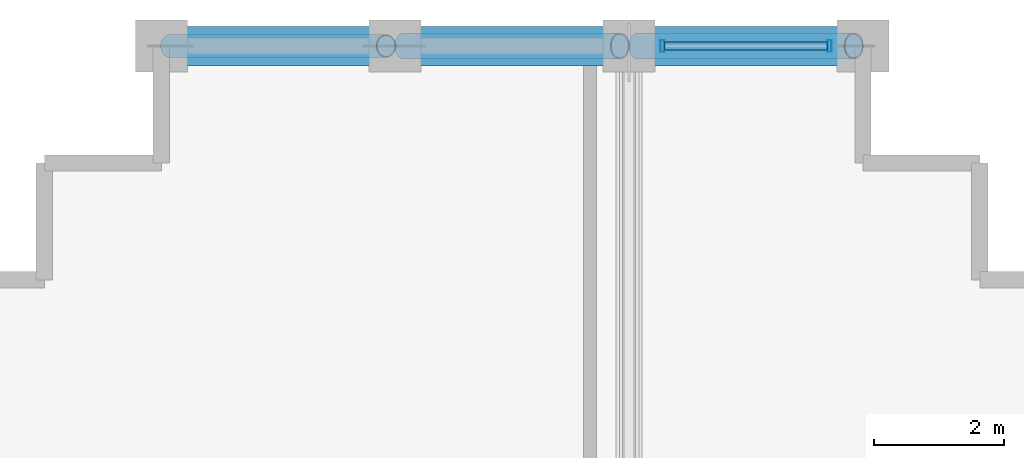
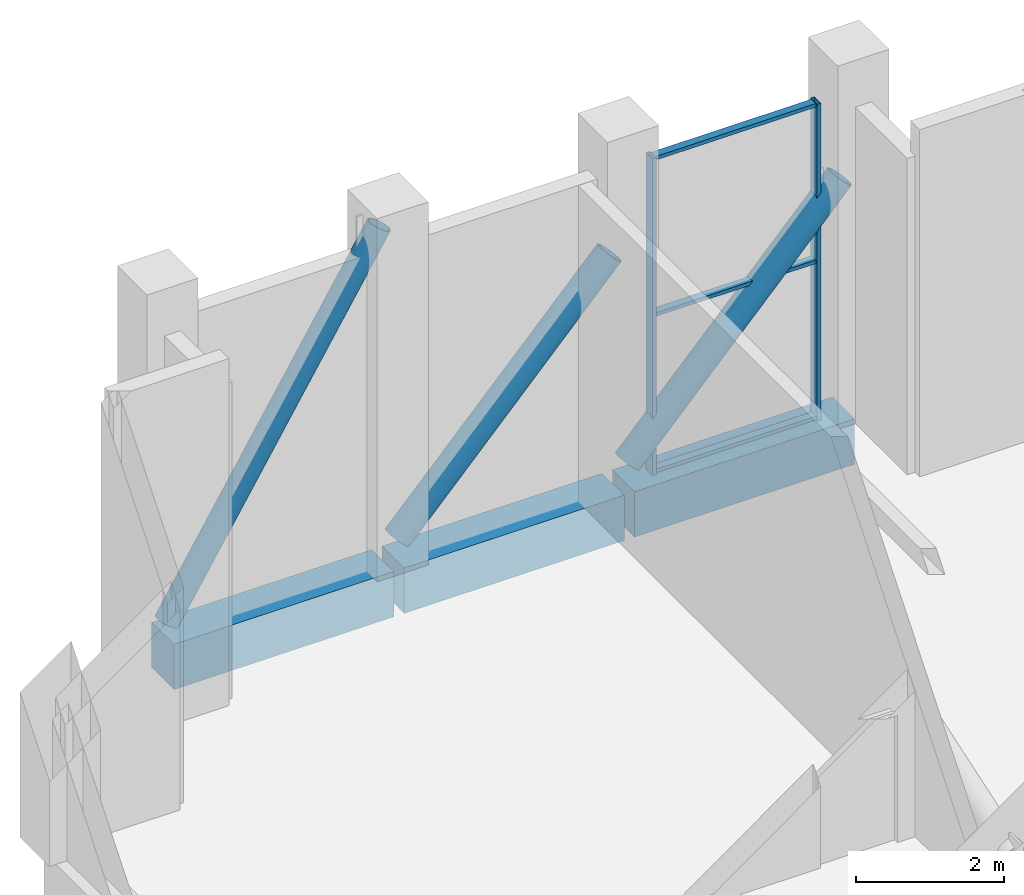
# One storey, part 12 of 17: 8 members, 3 beams, 1 element without a shape of its own.
"""IFC4 building model written with IfcOpenShell, lengths in metres."""

from ifc_helpers import new_model, si_unit, direction, frame, origin, origin_2d, place, context, subcontext, project, spatial, rectangle, hollow_rectangle, hollow_circle, extrude, material, layer, layer_set, material_profile, profile_set, type_object, element, aggregate, save


model = new_model("IFC4")

# Units and contexts
model_context = context("Model", 3, precision=1e-05, world=origin(), true_north=direction((0.0, 1.0)))
body_context = subcontext(model_context, "Body", "Model", "MODEL_VIEW")
ifc_project = project(units=[si_unit("LENGTHUNIT", "METRE"), si_unit("AREAUNIT", "SQUARE_METRE"), si_unit("VOLUMEUNIT", "CUBIC_METRE"), si_unit("PLANEANGLEUNIT", "RADIAN"), si_unit("MASSUNIT", "GRAM", prefix="KILO")], contexts=[model_context])

# Site, building, storey
site_placement = place(None, origin())
site = spatial("IfcSite", under=ifc_project, at=site_placement, CompositionType="ELEMENT")
building_placement = place(site_placement, origin())
building = spatial("IfcBuilding", under=site, at=building_placement, Name="Solnavia Interchange Tower", CompositionType="ELEMENT")
storey_placement = place(building_placement, frame((0.0, 0.0, 249.800048828125)))
storey = spatial("IfcBuildingStorey", under=building, at=storey_placement, Name="L63", CompositionType="ELEMENT", Elevation=249.800048828125)

# Beams
ifc_material_1 = material(Name="Concrete C50/60", Category="concrete")
ifc_material_profile_1 = material_profile(ifc_material_1, rectangle(XDim=0.60009765625, YDim=0.75, at=origin_2d()), Name="RC 600x750")
ifc_profile_set_1 = profile_set([ifc_material_profile_1], Name="Concrete C50/60")
beam_type = type_object("IfcBeamType", Name="Beam-Spandrel-RC600x750", PredefinedType="SPANDREL", material=ifc_profile_set_1)
for number, where, z_axis, x_axis, name in (
    (1, (21.52001953125, 36.0, -0.375), (-1.0, 0.0, 0.0), (0.0, -1.0, 0.0), "SPB-L63-20 Framed-tube perimeter spandrel beam"),
    (2, (17.919921875, 36.0, -0.375), (-1.0, 0.0, 0.0), (0.0, -1.0, 0.0), "SPB-L63-21 Framed-tube perimeter spandrel beam"),
):
    element("IfcBeam", number, at=place(storey_placement, frame(where, z_axis=z_axis, x_axis=x_axis)), inside=storey, type_object=beam_type, Name=name, PredefinedType="SPANDREL", context=body_context, shape_type="SweptSolid", body=[
        extrude(rectangle(XDim=0.60009765625, YDim=0.75, at=origin_2d()), origin(), (0.0, 0.0, 1.0), 3.43994140625),
    ])
beam_placement = place(storey_placement, frame((14.320068359375, 36.0, -0.375), z_axis=(-1.0, 0.0, 0.0), x_axis=(0.0, -1.0, 0.0)))
element("IfcBeam", 3, at=beam_placement, inside=storey, type_object=beam_type, Name="SPB-L63-22 Framed-tube perimeter spandrel beam", PredefinedType="SPANDREL", context=body_context, shape_type="SweptSolid", body=[
    extrude(rectangle(XDim=0.60009765625, YDim=0.75, at=origin_2d()), origin(), (0.0, 0.0, 1.0), 3.440185546875),
])

# Member
ifc_material_2 = material(Name="Steel S460", Category="steel")
ifc_material_profile_2 = material_profile(ifc_material_2, hollow_circle(Radius=0.177734375, WallThickness=0.01611328125, at=origin_2d()), Name="CHS 355.6x16")
ifc_profile_set_2 = profile_set([ifc_material_profile_2], Name="Steel S460")
member_type_1 = type_object("IfcMemberType", Name="Brace-Perim-CHS355", PredefinedType="BRACE", material=ifc_profile_set_2)
member_1_placement = place(storey_placement, frame((10.93994140625, 36.0, 0.179931640625), z_axis=(0.524448109341, 0.0, 0.851442411798), x_axis=(0.0, 1.0, 0.0)))
element("IfcMember", 4, at=member_1_placement, inside=storey, type_object=member_type_1, Name="BRC-L63-04 Perimeter tube diagonal brace", PredefinedType="BRACE", context=body_context, shape_type="SweptSolid", body=[
    extrude(hollow_circle(Radius=0.177734375, WallThickness=0.01611328125, at=origin_2d()), origin(), (0.0, 0.0, 1.0), 6.33056640625),
])

# Curtain wall, members
ifc_material_3 = material(Name="Aluminium Alloy 6063-T6", Category="aluminium")
ifc_layer = layer(ifc_material_3, 0.199951171875)
ifc_layer_set = layer_set([ifc_layer], Name="Aluminium Alloy 6063-T6")
curtain_wall_type = type_object("IfcCurtainWallType", Name="CurtainWall-Louvre-CTW5", PredefinedType="NOTDEFINED", material=ifc_layer_set)
curtain_wall_placement = place(storey_placement, origin())
curtain_wall = element("IfcCurtainWall", 5, at=curtain_wall_placement, inside=storey, type_object=curtain_wall_type, Name="CTW-L63-L27 CTW-5 curtain wall", PredefinedType="NOTDEFINED")
ifc_material_profile_3 = material_profile(ifc_material_3, hollow_rectangle(XDim=0.06494140625, YDim=0.179931640625, WallThickness=0.00439453125, at=origin_2d()), Name="ALU 180x65x4.5")
ifc_profile_set_3 = profile_set([ifc_material_profile_3], Name="Aluminium Alloy 6063-T6")
member_type_2 = type_object("IfcMemberType", Name="CW-Mullion-CWM-5", PredefinedType="MULLION", material=ifc_profile_set_3)
member_2_placement = place(storey_placement, frame((21.0849609375, 36.0, 0.0), z_axis=(0.0, 0.0, 1.0), x_axis=(-1.0, 0.0, 0.0)))
member_2 = element("IfcMember", 6, at=member_2_placement, type_object=member_type_2, Name="CTW-5 mullion 1", PredefinedType="MULLION", context=body_context, shape_type="SweptSolid", body=[
    extrude(hollow_rectangle(XDim=0.06494140625, YDim=0.179931640625, WallThickness=0.00439453125, at=origin_2d()), origin(), (0.0, 0.0, 1.0), 5.22998046875),
])
member_3_placement = place(storey_placement, frame((18.514892578125, 36.0, 0.0), z_axis=(0.0, 0.0, 1.0), x_axis=(-1.0, 0.0, 0.0)))
member_3 = element("IfcMember", 7, at=member_3_placement, type_object=member_type_2, Name="CTW-5 mullion 2", PredefinedType="MULLION", context=body_context, shape_type="SweptSolid", body=[
    extrude(hollow_rectangle(XDim=0.06494140625, YDim=0.179931640625, WallThickness=0.00439453125, at=origin_2d()), origin(), (0.0, 0.0, 1.0), 5.22998046875),
])
ifc_material_profile_4 = material_profile(ifc_material_3, hollow_rectangle(XDim=0.06005859375, YDim=0.1201171875, WallThickness=0.00390625, at=origin_2d()), Name="ALU 120x60x4")
ifc_profile_set_4 = profile_set([ifc_material_profile_4], Name="Aluminium Alloy 6063-T6")
member_type_3 = type_object("IfcMemberType", Name="CW-Transom-CWT-5", PredefinedType="USERDEFINED", material=ifc_profile_set_4)
member_4_placement = place(storey_placement, frame((21.052490234375, 36.0, 0.030029296875), z_axis=(-1.0, 0.0, 0.0), x_axis=(0.0, 0.0, 1.0)))
member_4 = element("IfcMember", 8, at=member_4_placement, type_object=member_type_3, Name="CTW-5 transom 1.1", ObjectType="TRANSOM", PredefinedType="USERDEFINED", context=body_context, shape_type="SweptSolid", body=[
    extrude(hollow_rectangle(XDim=0.06005859375, YDim=0.1201171875, WallThickness=0.00390625, at=origin_2d()), origin(), (0.0, 0.0, 1.0), 2.5048828125),
])
member_5_placement = place(storey_placement, frame((21.052490234375, 36.0, 2.614990234375), z_axis=(-1.0, 0.0, 0.0), x_axis=(0.0, 0.0, 1.0)))
member_5 = element("IfcMember", 9, at=member_5_placement, type_object=member_type_3, Name="CTW-5 transom 1.2", ObjectType="TRANSOM", PredefinedType="USERDEFINED", context=body_context, shape_type="SweptSolid", body=[
    extrude(hollow_rectangle(XDim=0.06005859375, YDim=0.1201171875, WallThickness=0.00390625, at=origin_2d()), origin(), (0.0, 0.0, 1.0), 2.5048828125),
])
member_6_placement = place(storey_placement, frame((21.052490234375, 36.0, 5.199951171875), z_axis=(-1.0, 0.0, 0.0), x_axis=(0.0, 0.0, 1.0)))
member_6 = element("IfcMember", 10, at=member_6_placement, type_object=member_type_3, Name="CTW-5 transom 1.3", ObjectType="TRANSOM", PredefinedType="USERDEFINED", context=body_context, shape_type="SweptSolid", body=[
    extrude(hollow_rectangle(XDim=0.06005859375, YDim=0.1201171875, WallThickness=0.00390625, at=origin_2d()), origin(), (0.0, 0.0, 1.0), 2.5048828125),
])
aggregate(curtain_wall, [member_2, member_3, member_4, member_5, member_6])

# Members
ifc_material_profile_5 = material_profile(ifc_material_2, hollow_circle(Radius=0.203125, WallThickness=0.02001953125, at=origin_2d()), Name="CHS 406.4x20")
ifc_profile_set_5 = profile_set([ifc_material_profile_5], Name="Steel S460")
member_type_4 = type_object("IfcMemberType", Name="Outrigger-Diag-CHS406", PredefinedType="BRACE", material=ifc_profile_set_5)
for number, where, z_axis, x_axis, name in (
    (11, (14.5400390625, 36.0, 0.300048828125), (0.683078490531, 0.0, 0.73034497039), (0.0, 1.0, 0.0), "OTR-L63-BT05 Belt truss diagonal"),
    (12, (18.139892578125, 36.0, 0.300048828125), (0.683078490531, 0.0, 0.73034497039), (0.0, 1.0, 0.0), "OTR-L63-BT06 Belt truss diagonal"),
):
    element("IfcMember", number, at=place(storey_placement, frame(where, z_axis=z_axis, x_axis=x_axis)), inside=storey, type_object=member_type_4, Name=name, PredefinedType="BRACE", context=body_context, shape_type="SweptSolid", body=[
        extrude(hollow_circle(Radius=0.203125, WallThickness=0.02001953125, at=origin_2d()), origin(), (0.0, 0.0, 1.0), 4.8603515625),
    ])

save(model, "model.ifc")
